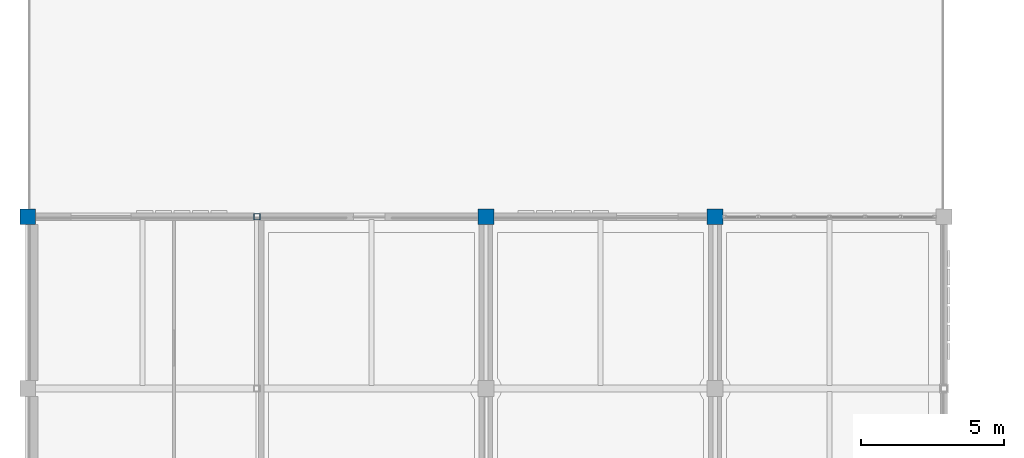
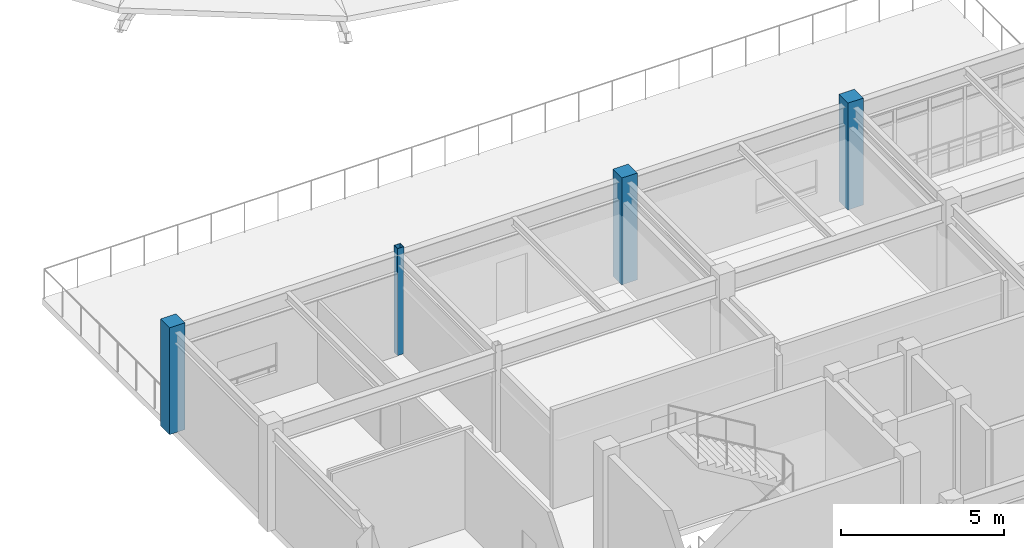
# One storey, part 4 of 31: 4 columns.
"""IFC4 building model written with IfcOpenShell, lengths in metres."""

from ifc_helpers import new_model, si_unit, direction, frame, origin, origin_2d, place, context, subcontext, project, spatial, rectangle, hollow_rectangle, extrude, material, material_profile, profile_set, type_object, element, save


model = new_model("IFC4")

# Units and contexts
model_context = context("Model", 3, precision=1e-05, world=origin(), true_north=direction((0.0, 1.0)))
body_context = subcontext(model_context, "Body", "Model", "MODEL_VIEW")
ifc_project = project(units=[si_unit("LENGTHUNIT", "METRE"), si_unit("AREAUNIT", "SQUARE_METRE"), si_unit("VOLUMEUNIT", "CUBIC_METRE"), si_unit("PLANEANGLEUNIT", "RADIAN"), si_unit("MASSUNIT", "GRAM", prefix="KILO")], contexts=[model_context])

# Site, building, storey
site_placement = place(None, origin())
site = spatial("IfcSite", under=ifc_project, at=site_placement, CompositionType="ELEMENT")
building_placement = place(site_placement, origin())
building = spatial("IfcBuilding", under=site, at=building_placement, Name="Celadon Cloister-Ring School", CompositionType="ELEMENT")
storey_placement = place(building_placement, frame((0.0, 0.0, 16.5)))
storey = spatial("IfcBuildingStorey", under=building, at=storey_placement, Name="L04", CompositionType="ELEMENT", Elevation=16.5)

# Columns
ifc_material_1 = material(Name="Concrete C40/50", Category="concrete")
ifc_material_profile_1 = material_profile(ifc_material_1, rectangle(XDim=0.550048828125, YDim=0.550048828125, at=origin_2d()), Name="RC550X550")
ifc_profile_set_1 = profile_set([ifc_material_profile_1], Name="Concrete C40/50")
column_type_1 = type_object("IfcColumnType", Name="CT-05", PredefinedType="COLUMN", material=ifc_profile_set_1)
for number, where, z_axis, x_axis, name in (
    (1, (16.0, 68.0, 0.0), (0.0, 0.0, 1.0), (1.0, 0.0, 0.0), "Column 1108"),
    (2, (24.0, 68.0, 0.0), (0.0, 0.0, 1.0), (1.0, 0.0, 0.0), "Column 1142"),
):
    element("IfcColumn", number, at=place(storey_placement, frame(where, z_axis=z_axis, x_axis=x_axis)), inside=storey, type_object=column_type_1, Name=name, PredefinedType="COLUMN", context=body_context, shape_type="SweptSolid", body=[
        extrude(rectangle(XDim=0.550048828125, YDim=0.550048828125, at=origin_2d()), origin(), (0.0, 0.0, 1.0), 4.0),
    ])
ifc_material_2 = material(Name="Structural steel S355JR", Category="steel")
ifc_material_profile_2 = material_profile(ifc_material_2, hollow_rectangle(XDim=0.219970703125, YDim=0.219970703125, WallThickness=0.010009765625, at=origin_2d()), Name="HSS220X220X10")
ifc_profile_set_2 = profile_set([ifc_material_profile_2], Name="Structural steel S355JR")
column_type_2 = type_object("IfcColumnType", Name="CT-09", PredefinedType="COLUMN", material=ifc_profile_set_2)
column_1_placement = place(storey_placement, frame((8.0, 68.0, 0.0), z_axis=(0.0, 0.0, 1.0), x_axis=(1.0, 0.0, 0.0)))
element("IfcColumn", 3, at=column_1_placement, inside=storey, type_object=column_type_2, Name="Column 1193", PredefinedType="COLUMN", context=body_context, shape_type="SweptSolid", body=[
    extrude(hollow_rectangle(XDim=0.219970703125, YDim=0.219970703125, WallThickness=0.010009765625, at=origin_2d()), origin(), (0.0, 0.0, 1.0), 4.0),
])
ifc_material_3 = material(Name="Concrete C40/50", Category="concrete")
ifc_material_profile_3 = material_profile(ifc_material_3, rectangle(XDim=0.550048828125, YDim=0.550048828125, at=origin_2d()), Name="RC550X550")
ifc_profile_set_3 = profile_set([ifc_material_profile_3], Name="Concrete C40/50")
column_type_3 = type_object("IfcColumnType", Name="CT-24", PredefinedType="COLUMN", material=ifc_profile_set_3)
column_2_placement = place(storey_placement, frame((0.0, 68.0, 0.0), z_axis=(0.0, 0.0, 1.0), x_axis=(1.0, 0.0, 0.0)))
element("IfcColumn", 4, at=column_2_placement, inside=storey, type_object=column_type_3, Name="Column 1086", PredefinedType="COLUMN", context=body_context, shape_type="SweptSolid", body=[
    extrude(rectangle(XDim=0.550048828125, YDim=0.550048828125, at=origin_2d()), origin(), (0.0, 0.0, 1.0), 4.0),
])

save(model, "model.ifc")
